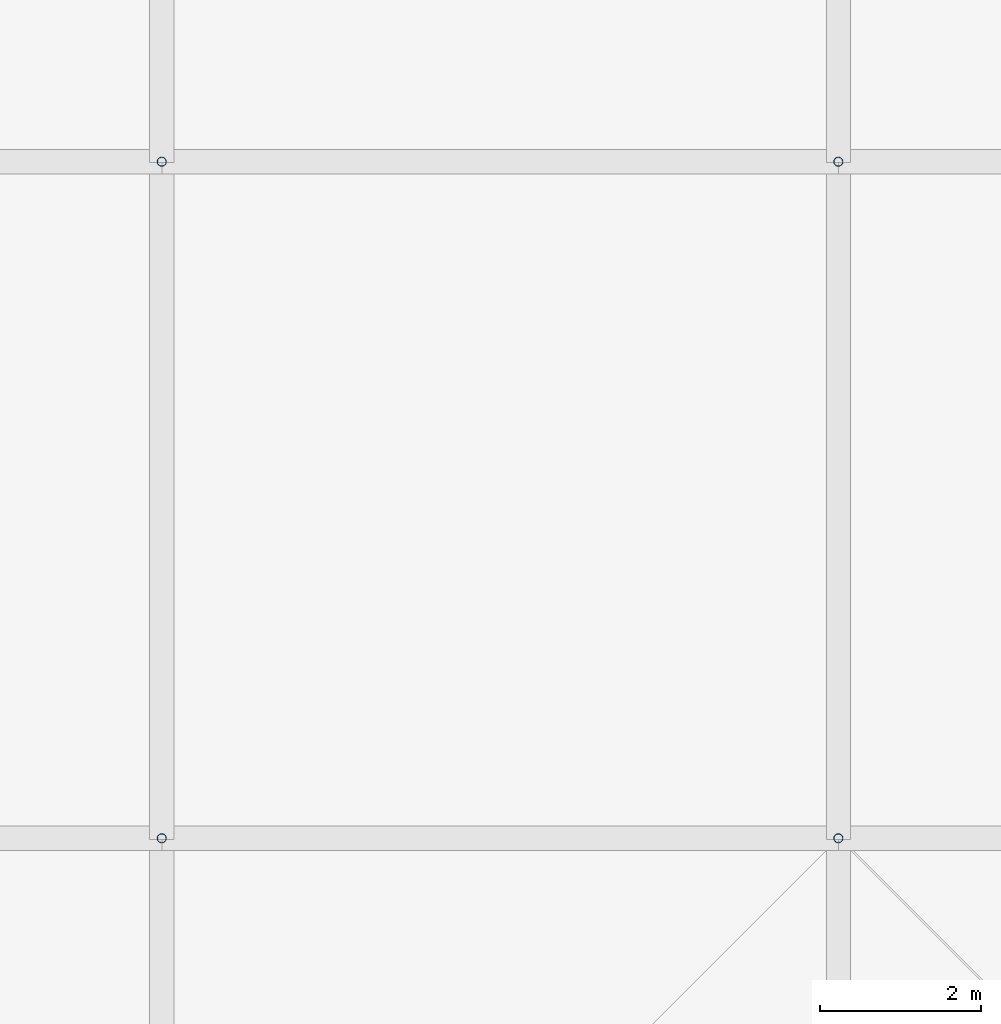
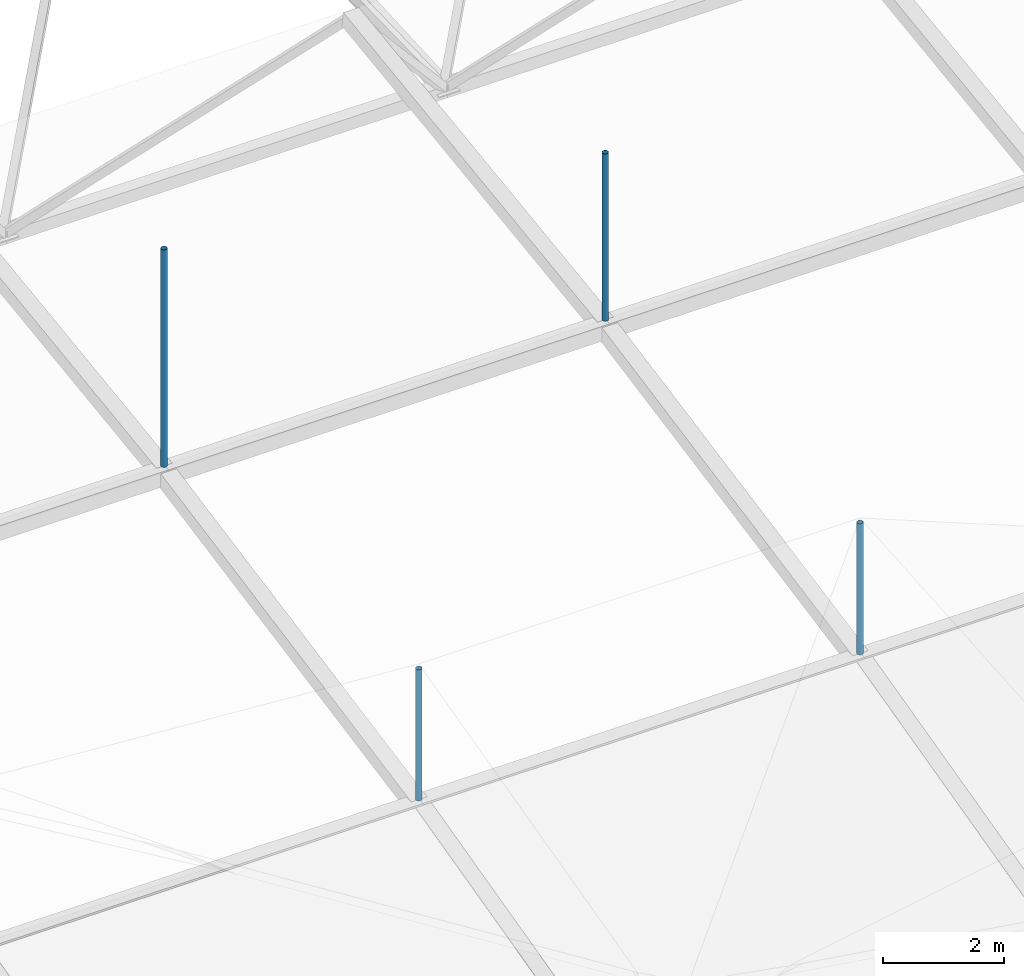
# One storey, part 28 of 111: 4 discrete accessories.
"""IFC4 building model written with IfcOpenShell, lengths in metres."""

from ifc_helpers import new_model, si_unit, direction, frame, origin, origin_2d, place, context, subcontext, project, spatial, hollow_circle, extrude, material, material_profile, profile_set, type_object, element, save


model = new_model("IFC4")

# Units and contexts
model_context = context("Model", 3, precision=1e-05, world=origin(), true_north=direction((0.0, 1.0)))
body_context = subcontext(model_context, "Body", "Model", "MODEL_VIEW")
ifc_project = project(units=[si_unit("LENGTHUNIT", "METRE"), si_unit("AREAUNIT", "SQUARE_METRE"), si_unit("VOLUMEUNIT", "CUBIC_METRE"), si_unit("PLANEANGLEUNIT", "RADIAN"), si_unit("MASSUNIT", "GRAM", prefix="KILO")], contexts=[model_context])

# Site, building, storey
site_placement = place(None, origin())
site = spatial("IfcSite", under=ifc_project, at=site_placement, CompositionType="ELEMENT")
building_placement = place(site_placement, origin())
building = spatial("IfcBuilding", under=site, at=building_placement, Name="Rain Tree Exposition and Congress Centre", CompositionType="ELEMENT")
storey_placement = place(building_placement, frame((0.0, 0.0, 19.5)))
storey = spatial("IfcBuildingStorey", under=building, at=storey_placement, Name="RF", CompositionType="ELEMENT", Elevation=19.5)

# Discrete accessories
ifc_material = material(Name="Steel S355J2H", Category="steel")
ifc_material_profile = material_profile(ifc_material, hollow_circle(Radius=0.05712890625, WallThickness=0.00439453125, at=origin_2d()), Name="CHS 114x4.5")
ifc_profile_set = profile_set([ifc_material_profile], Name="Steel S355J2H")
discrete_accessory_type = type_object("IfcDiscreteAccessoryType", Name="Roof skin post CHS 114x4.5", PredefinedType="BRACKET", material=ifc_profile_set)
discrete_accessory_1_placement = place(storey_placement, frame((33.60009765625, 117.60009765625, 3.22412109375), z_axis=(0.0, 0.0, 1.0), x_axis=(1.0, 0.0, 0.0)))
element("IfcDiscreteAccessory", 1, at=discrete_accessory_1_placement, inside=storey, type_object=discrete_accessory_type, Name="Roof skin post A34", PredefinedType="BRACKET", context=body_context, shape_type="SweptSolid", body=[
    extrude(hollow_circle(Radius=0.05712890625, WallThickness=0.00439453125, at=origin_2d()), origin(), (0.0, 0.0, 1.0), 2.6376953125),
])
discrete_accessory_2_placement = place(storey_placement, frame((42.0, 117.60009765625, 3.22412109375), z_axis=(0.0, 0.0, 1.0), x_axis=(1.0, 0.0, 0.0)))
element("IfcDiscreteAccessory", 2, at=discrete_accessory_2_placement, inside=storey, type_object=discrete_accessory_type, Name="Roof skin post A35", PredefinedType="BRACKET", context=body_context, shape_type="SweptSolid", body=[
    extrude(hollow_circle(Radius=0.05712890625, WallThickness=0.00439453125, at=origin_2d()), origin(), (0.0, 0.0, 1.0), 2.6337890625),
])
discrete_accessory_3_placement = place(storey_placement, frame((33.60009765625, 126.0, 4.843017578125), z_axis=(0.0, 0.0, 1.0), x_axis=(1.0, 0.0, 0.0)))
element("IfcDiscreteAccessory", 3, at=discrete_accessory_3_placement, inside=storey, type_object=discrete_accessory_type, Name="Roof skin post A49", PredefinedType="BRACKET", context=body_context, shape_type="SweptSolid", body=[
    extrude(hollow_circle(Radius=0.05712890625, WallThickness=0.00439453125, at=origin_2d()), origin(), (0.0, 0.0, 1.0), 4.37646484375),
])
discrete_accessory_4_placement = place(storey_placement, frame((42.0, 126.0, 4.843017578125), z_axis=(0.0, 0.0, 1.0), x_axis=(1.0, 0.0, 0.0)))
element("IfcDiscreteAccessory", 4, at=discrete_accessory_4_placement, inside=storey, type_object=discrete_accessory_type, Name="Roof skin post A50", PredefinedType="BRACKET", context=body_context, shape_type="SweptSolid", body=[
    extrude(hollow_circle(Radius=0.05712890625, WallThickness=0.00439453125, at=origin_2d()), origin(), (0.0, 0.0, 1.0), 3.365478515625),
])

save(model, "model.ifc")
